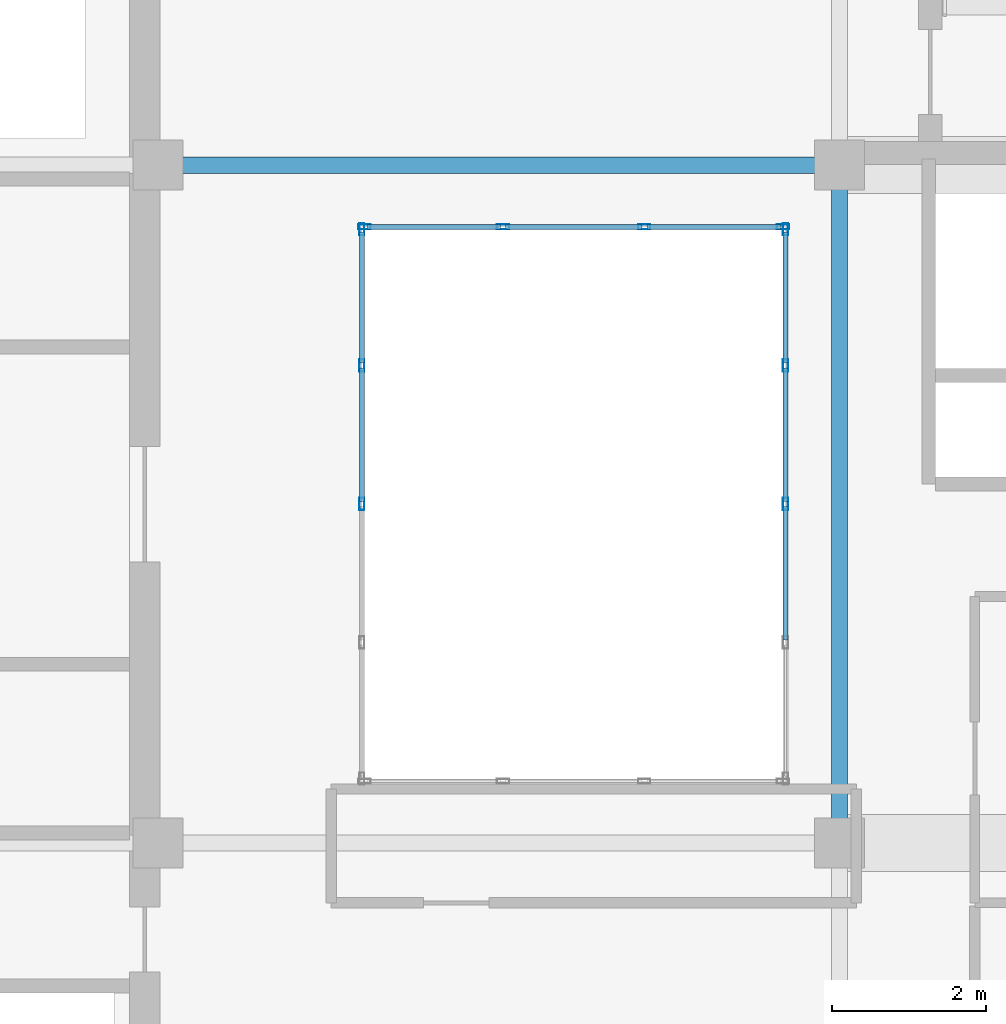
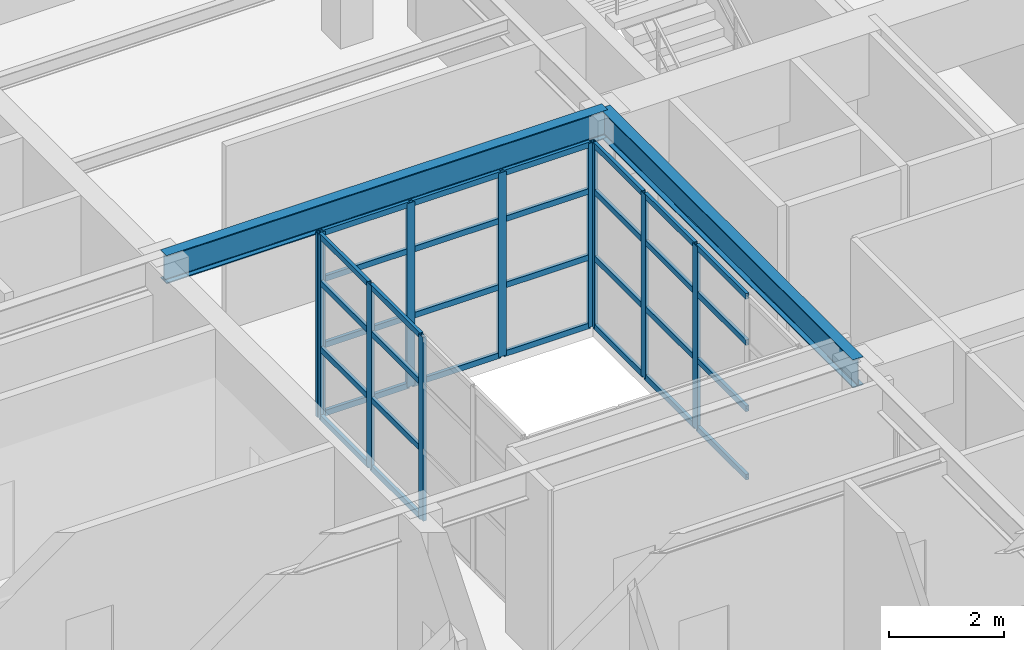
# One storey, part 4 of 11: 42 members, 2 beams, 3 elements without a shape of their own.
"""IFC4 building model written with IfcOpenShell, lengths in metres."""

from ifc_helpers import new_model, si_unit, direction, frame, origin, origin_2d, place, context, subcontext, project, spatial, hollow_rectangle, i_section, extrude, material, layer, layer_set, material_profile, profile_set, type_object, element, aggregate, save


model = new_model("IFC4")

# Units and contexts
model_context = context("Model", 3, precision=1e-05, world=origin(), true_north=direction((0.0, 1.0)))
body_context = subcontext(model_context, "Body", "Model", "MODEL_VIEW")
ifc_project = project(units=[si_unit("LENGTHUNIT", "METRE"), si_unit("AREAUNIT", "SQUARE_METRE"), si_unit("VOLUMEUNIT", "CUBIC_METRE"), si_unit("PLANEANGLEUNIT", "RADIAN"), si_unit("MASSUNIT", "GRAM", prefix="KILO")], contexts=[model_context])

# Site, building, storey
site_placement = place(None, origin())
site = spatial("IfcSite", under=ifc_project, at=site_placement, CompositionType="ELEMENT")
building_placement = place(site_placement, origin())
building = spatial("IfcBuilding", under=site, at=building_placement, Name="Kundavana Baori Tower", CompositionType="ELEMENT")
storey_placement = place(building_placement, frame((0.0, 0.0, 350.5)))
storey = spatial("IfcBuildingStorey", under=building, at=storey_placement, Name="L87", CompositionType="ELEMENT", Elevation=350.5)

# Beams
ifc_material_1 = material(Name="Structural Steel S355JR", Category="steel")
ifc_material_profile_1 = material_profile(ifc_material_1, i_section(OverallWidth=0.2099609375, OverallDepth=0.60009765625, WebThickness=0.011962890625, FlangeThickness=0.020751953125, FilletRadius=0.02001953125, at=origin_2d()), Name="ISMB 600")
ifc_profile_set_1 = profile_set([ifc_material_profile_1], Name="Structural Steel S355JR")
beam_type = type_object("IfcBeamType", Name="BM-ST-600", PredefinedType="BEAM", material=ifc_profile_set_1)
beam_1_placement = place(storey_placement, frame((24.949951171875, 33.0, 3.60009765625), z_axis=(1.0, 0.0, 0.0), x_axis=(0.0, 1.0, 0.0)))
element("IfcBeam", 1, at=beam_1_placement, inside=storey, type_object=beam_type, Name="L87 Primary Grid Girder GX-3-2", PredefinedType="BEAM", context=body_context, shape_type="SweptSolid", body=[
    extrude(i_section(OverallWidth=0.2099609375, OverallDepth=0.60009765625, WebThickness=0.011962890625, FlangeThickness=0.020751953125, FilletRadius=0.02001953125, at=origin_2d()), origin(), (0.0, 0.0, 1.0), 8.85009765625),
])
beam_2_placement = place(storey_placement, frame((33.800048828125, 24.199951171875, 3.60009765625), z_axis=(0.0, 1.0, 0.0), x_axis=(-1.0, 0.0, 0.0)))
element("IfcBeam", 2, at=beam_2_placement, inside=storey, type_object=beam_type, Name="L87 Primary Grid Girder GY-3-2", PredefinedType="BEAM", context=body_context, shape_type="SweptSolid", body=[
    extrude(i_section(OverallWidth=0.2099609375, OverallDepth=0.60009765625, WebThickness=0.011962890625, FlangeThickness=0.020751953125, FilletRadius=0.02001953125, at=origin_2d()), origin(), (0.0, 0.0, 1.0), 8.800048828125),
])

# Curtain wall, members
ifc_material_2 = material(Name="Thermally Broken Anodised Aluminium Framing", Category="aluminium")
ifc_layer = layer(ifc_material_2, 0.235107421875, Name="CW-SYS-6")
ifc_layer_set = layer_set([ifc_layer], Name="Thermally Broken Anodised Aluminium Framing")
curtain_wall_type = type_object("IfcCurtainWallType", Name="CW-SYS-6", PredefinedType="NOTDEFINED", material=ifc_layer_set)
curtain_wall_1_placement = place(storey_placement, origin())
curtain_wall_1 = element("IfcCurtainWall", 3, at=curtain_wall_1_placement, inside=storey, type_object=curtain_wall_type, Name="L87 Atrium Glazed Curtain Wall E", PredefinedType="NOTDEFINED")
ifc_material_3 = material(Name="Thermally Broken Anodised Aluminium Framing", Category="aluminium")
ifc_material_profile_2 = material_profile(ifc_material_3, hollow_rectangle(XDim=0.06494140625, YDim=0.159912109375, WallThickness=0.00390625, at=origin_2d()), Name="CW-MULL-160")
ifc_profile_set_2 = profile_set([ifc_material_profile_2], Name="Thermally Broken Anodised Aluminium Framing")
member_type_1 = type_object("IfcMemberType", Name="CW-MULL-160", PredefinedType="MULLION", material=ifc_profile_set_2)
member_1_placement = place(storey_placement, frame((33.10009765625, 28.60009765625, 0.0), z_axis=(0.0, 0.0, 1.0), x_axis=(-1.0, 0.0, 0.0)))
member_1 = element("IfcMember", 4, at=member_1_placement, type_object=member_type_1, Name="CW6 mullion 3", PredefinedType="MULLION", context=body_context, shape_type="SweptSolid", body=[
    extrude(hollow_rectangle(XDim=0.06494140625, YDim=0.159912109375, WallThickness=0.00390625, at=origin_2d()), origin(), (0.0, 0.0, 1.0), 3.89990234375),
])
member_2_placement = place(storey_placement, frame((33.10009765625, 30.39990234375, 0.0), z_axis=(0.0, 0.0, 1.0), x_axis=(-1.0, 0.0, 0.0)))
member_2 = element("IfcMember", 5, at=member_2_placement, type_object=member_type_1, Name="CW6 mullion 4", PredefinedType="MULLION", context=body_context, shape_type="SweptSolid", body=[
    extrude(hollow_rectangle(XDim=0.06494140625, YDim=0.159912109375, WallThickness=0.00390625, at=origin_2d()), origin(), (0.0, 0.0, 1.0), 3.89990234375),
])
member_3_placement = place(storey_placement, frame((33.10009765625, 32.16748046875, 0.0), z_axis=(0.0, 0.0, 1.0), x_axis=(-1.0, 0.0, 0.0)))
member_3 = element("IfcMember", 6, at=member_3_placement, type_object=member_type_1, Name="CW6 mullion 5", PredefinedType="MULLION", context=body_context, shape_type="SweptSolid", body=[
    extrude(hollow_rectangle(XDim=0.06494140625, YDim=0.159912109375, WallThickness=0.00390625, at=origin_2d()), origin(), (0.0, 0.0, 1.0), 3.89990234375),
])

curtain_wall_2_placement = place(storey_placement, origin())
curtain_wall_2 = element("IfcCurtainWall", 7, at=curtain_wall_2_placement, inside=storey, type_object=curtain_wall_type, Name="L87 Atrium Glazed Curtain Wall N", PredefinedType="NOTDEFINED")
member_4_placement = place(storey_placement, frame((33.0673828125, 32.199951171875, 0.0), z_axis=(0.0, 0.0, 1.0), x_axis=(0.0, -1.0, 0.0)))
member_4 = element("IfcMember", 8, at=member_4_placement, type_object=member_type_1, Name="CW6 mullion 1", PredefinedType="MULLION", context=body_context, shape_type="SweptSolid", body=[
    extrude(hollow_rectangle(XDim=0.06494140625, YDim=0.159912109375, WallThickness=0.00390625, at=origin_2d()), origin(), (0.0, 0.0, 1.0), 3.89990234375),
])
member_5_placement = place(storey_placement, frame((31.2666015625, 32.199951171875, 0.0), z_axis=(0.0, 0.0, 1.0), x_axis=(0.0, -1.0, 0.0)))
member_5 = element("IfcMember", 9, at=member_5_placement, type_object=member_type_1, Name="CW6 mullion 2", PredefinedType="MULLION", context=body_context, shape_type="SweptSolid", body=[
    extrude(hollow_rectangle(XDim=0.06494140625, YDim=0.159912109375, WallThickness=0.00390625, at=origin_2d()), origin(), (0.0, 0.0, 1.0), 3.89990234375),
])
member_6_placement = place(storey_placement, frame((29.433349609375, 32.199951171875, 0.0), z_axis=(0.0, 0.0, 1.0), x_axis=(0.0, -1.0, 0.0)))
member_6 = element("IfcMember", 10, at=member_6_placement, type_object=member_type_1, Name="CW6 mullion 3", PredefinedType="MULLION", context=body_context, shape_type="SweptSolid", body=[
    extrude(hollow_rectangle(XDim=0.06494140625, YDim=0.159912109375, WallThickness=0.00390625, at=origin_2d()), origin(), (0.0, 0.0, 1.0), 3.89990234375),
])
member_7_placement = place(storey_placement, frame((27.632568359375, 32.199951171875, 0.0), z_axis=(0.0, 0.0, 1.0), x_axis=(0.0, -1.0, 0.0)))
member_7 = element("IfcMember", 11, at=member_7_placement, type_object=member_type_1, Name="CW6 mullion 4", PredefinedType="MULLION", context=body_context, shape_type="SweptSolid", body=[
    extrude(hollow_rectangle(XDim=0.06494140625, YDim=0.159912109375, WallThickness=0.00390625, at=origin_2d()), origin(), (0.0, 0.0, 1.0), 3.89990234375),
])

curtain_wall_3_placement = place(storey_placement, origin())
curtain_wall_3 = element("IfcCurtainWall", 12, at=curtain_wall_3_placement, inside=storey, type_object=curtain_wall_type, Name="L87 Atrium Glazed Curtain Wall W", PredefinedType="NOTDEFINED")
member_8_placement = place(storey_placement, frame((27.60009765625, 32.16748046875, 0.0), z_axis=(0.0, 0.0, 1.0), x_axis=(1.0, 0.0, 0.0)))
member_8 = element("IfcMember", 13, at=member_8_placement, type_object=member_type_1, Name="CW6 mullion 1", PredefinedType="MULLION", context=body_context, shape_type="SweptSolid", body=[
    extrude(hollow_rectangle(XDim=0.06494140625, YDim=0.159912109375, WallThickness=0.00390625, at=origin_2d()), origin(), (0.0, 0.0, 1.0), 3.89990234375),
])
member_9_placement = place(storey_placement, frame((27.60009765625, 30.39990234375, 0.0), z_axis=(0.0, 0.0, 1.0), x_axis=(1.0, 0.0, 0.0)))
member_9 = element("IfcMember", 14, at=member_9_placement, type_object=member_type_1, Name="CW6 mullion 2", PredefinedType="MULLION", context=body_context, shape_type="SweptSolid", body=[
    extrude(hollow_rectangle(XDim=0.06494140625, YDim=0.159912109375, WallThickness=0.00390625, at=origin_2d()), origin(), (0.0, 0.0, 1.0), 3.89990234375),
])
member_10_placement = place(storey_placement, frame((27.60009765625, 28.60009765625, 0.0), z_axis=(0.0, 0.0, 1.0), x_axis=(1.0, 0.0, 0.0)))
member_10 = element("IfcMember", 15, at=member_10_placement, type_object=member_type_1, Name="CW6 mullion 3", PredefinedType="MULLION", context=body_context, shape_type="SweptSolid", body=[
    extrude(hollow_rectangle(XDim=0.06494140625, YDim=0.159912109375, WallThickness=0.00390625, at=origin_2d()), origin(), (0.0, 0.0, 1.0), 3.89990234375),
])

# Member
ifc_material_4 = material(Name="Thermally Broken Anodised Aluminium Framing", Category="aluminium")
ifc_material_profile_3 = material_profile(ifc_material_4, hollow_rectangle(XDim=0.06494140625, YDim=0.1201171875, WallThickness=0.00390625, at=origin_2d()), Name="CW-TRAN-120")
ifc_profile_set_3 = profile_set([ifc_material_profile_3], Name="Thermally Broken Anodised Aluminium Framing")
member_type_2 = type_object("IfcMemberType", Name="CW-TRAN-120", PredefinedType="USERDEFINED", material=ifc_profile_set_3)
member_11_placement = place(storey_placement, frame((33.10009765625, 26.83251953125, 0.032470703125), z_axis=(0.0, 1.0, 0.0), x_axis=(-1.0, 0.0, 0.0)))
member_11 = element("IfcMember", 16, at=member_11_placement, type_object=member_type_2, Name="CW6 transom 2.1", ObjectType="TRANSOM", PredefinedType="USERDEFINED", context=body_context, shape_type="SweptSolid", body=[
    extrude(hollow_rectangle(XDim=0.06494140625, YDim=0.1201171875, WallThickness=0.00390625, at=origin_2d()), origin(), (0.0, 0.0, 1.0), 1.73486328125),
])

member_12_placement = place(storey_placement, frame((33.10009765625, 26.83251953125, 1.48193359375), z_axis=(0.0, 1.0, 0.0), x_axis=(-1.0, 0.0, 0.0)))
member_12 = element("IfcMember", 17, at=member_12_placement, type_object=member_type_2, Name="CW6 transom 2.2", ObjectType="TRANSOM", PredefinedType="USERDEFINED", context=body_context, shape_type="SweptSolid", body=[
    extrude(hollow_rectangle(XDim=0.06494140625, YDim=0.1201171875, WallThickness=0.00390625, at=origin_2d()), origin(), (0.0, 0.0, 1.0), 1.73486328125),
])

member_13_placement = place(storey_placement, frame((33.10009765625, 26.83251953125, 2.885986328125), z_axis=(0.0, 1.0, 0.0), x_axis=(-1.0, 0.0, 0.0)))
member_13 = element("IfcMember", 18, at=member_13_placement, type_object=member_type_2, Name="CW6 transom 2.3", ObjectType="TRANSOM", PredefinedType="USERDEFINED", context=body_context, shape_type="SweptSolid", body=[
    extrude(hollow_rectangle(XDim=0.06494140625, YDim=0.1201171875, WallThickness=0.00390625, at=origin_2d()), origin(), (0.0, 0.0, 1.0), 1.73486328125),
])

member_14_placement = place(storey_placement, frame((33.10009765625, 26.83251953125, 3.867431640625), z_axis=(0.0, 1.0, 0.0), x_axis=(-1.0, 0.0, 0.0)))
member_14 = element("IfcMember", 19, at=member_14_placement, type_object=member_type_2, Name="CW6 transom 2.4", ObjectType="TRANSOM", PredefinedType="USERDEFINED", context=body_context, shape_type="SweptSolid", body=[
    extrude(hollow_rectangle(XDim=0.06494140625, YDim=0.1201171875, WallThickness=0.00390625, at=origin_2d()), origin(), (0.0, 0.0, 1.0), 1.73486328125),
])

member_15_placement = place(storey_placement, frame((33.10009765625, 28.632568359375, 0.032470703125), z_axis=(0.0, 1.0, 0.0), x_axis=(-1.0, 0.0, 0.0)))
member_15 = element("IfcMember", 20, at=member_15_placement, type_object=member_type_2, Name="CW6 transom 3.1", ObjectType="TRANSOM", PredefinedType="USERDEFINED", context=body_context, shape_type="SweptSolid", body=[
    extrude(hollow_rectangle(XDim=0.06494140625, YDim=0.1201171875, WallThickness=0.00390625, at=origin_2d()), origin(), (0.0, 0.0, 1.0), 1.73486328125),
])

member_16_placement = place(storey_placement, frame((33.10009765625, 28.632568359375, 1.48193359375), z_axis=(0.0, 1.0, 0.0), x_axis=(-1.0, 0.0, 0.0)))
member_16 = element("IfcMember", 21, at=member_16_placement, type_object=member_type_2, Name="CW6 transom 3.2", ObjectType="TRANSOM", PredefinedType="USERDEFINED", context=body_context, shape_type="SweptSolid", body=[
    extrude(hollow_rectangle(XDim=0.06494140625, YDim=0.1201171875, WallThickness=0.00390625, at=origin_2d()), origin(), (0.0, 0.0, 1.0), 1.73486328125),
])

member_17_placement = place(storey_placement, frame((33.10009765625, 28.632568359375, 2.885986328125), z_axis=(0.0, 1.0, 0.0), x_axis=(-1.0, 0.0, 0.0)))
member_17 = element("IfcMember", 22, at=member_17_placement, type_object=member_type_2, Name="CW6 transom 3.3", ObjectType="TRANSOM", PredefinedType="USERDEFINED", context=body_context, shape_type="SweptSolid", body=[
    extrude(hollow_rectangle(XDim=0.06494140625, YDim=0.1201171875, WallThickness=0.00390625, at=origin_2d()), origin(), (0.0, 0.0, 1.0), 1.73486328125),
])

member_18_placement = place(storey_placement, frame((33.10009765625, 28.632568359375, 3.867431640625), z_axis=(0.0, 1.0, 0.0), x_axis=(-1.0, 0.0, 0.0)))
member_18 = element("IfcMember", 23, at=member_18_placement, type_object=member_type_2, Name="CW6 transom 3.4", ObjectType="TRANSOM", PredefinedType="USERDEFINED", context=body_context, shape_type="SweptSolid", body=[
    extrude(hollow_rectangle(XDim=0.06494140625, YDim=0.1201171875, WallThickness=0.00390625, at=origin_2d()), origin(), (0.0, 0.0, 1.0), 1.73486328125),
])

member_19_placement = place(storey_placement, frame((33.10009765625, 30.4326171875, 0.032470703125), z_axis=(0.0, 1.0, 0.0), x_axis=(-1.0, 0.0, 0.0)))
member_19 = element("IfcMember", 24, at=member_19_placement, type_object=member_type_2, Name="CW6 transom 4.1", ObjectType="TRANSOM", PredefinedType="USERDEFINED", context=body_context, shape_type="SweptSolid", body=[
    extrude(hollow_rectangle(XDim=0.06494140625, YDim=0.1201171875, WallThickness=0.00390625, at=origin_2d()), origin(), (0.0, 0.0, 1.0), 1.702392578125),
])

member_20_placement = place(storey_placement, frame((33.10009765625, 30.4326171875, 1.48193359375), z_axis=(0.0, 1.0, 0.0), x_axis=(-1.0, 0.0, 0.0)))
member_20 = element("IfcMember", 25, at=member_20_placement, type_object=member_type_2, Name="CW6 transom 4.2", ObjectType="TRANSOM", PredefinedType="USERDEFINED", context=body_context, shape_type="SweptSolid", body=[
    extrude(hollow_rectangle(XDim=0.06494140625, YDim=0.1201171875, WallThickness=0.00390625, at=origin_2d()), origin(), (0.0, 0.0, 1.0), 1.702392578125),
])

member_21_placement = place(storey_placement, frame((33.10009765625, 30.4326171875, 2.885986328125), z_axis=(0.0, 1.0, 0.0), x_axis=(-1.0, 0.0, 0.0)))
member_21 = element("IfcMember", 26, at=member_21_placement, type_object=member_type_2, Name="CW6 transom 4.3", ObjectType="TRANSOM", PredefinedType="USERDEFINED", context=body_context, shape_type="SweptSolid", body=[
    extrude(hollow_rectangle(XDim=0.06494140625, YDim=0.1201171875, WallThickness=0.00390625, at=origin_2d()), origin(), (0.0, 0.0, 1.0), 1.702392578125),
])

member_22_placement = place(storey_placement, frame((33.10009765625, 30.4326171875, 3.867431640625), z_axis=(0.0, 1.0, 0.0), x_axis=(-1.0, 0.0, 0.0)))
member_22 = element("IfcMember", 27, at=member_22_placement, type_object=member_type_2, Name="CW6 transom 4.4", ObjectType="TRANSOM", PredefinedType="USERDEFINED", context=body_context, shape_type="SweptSolid", body=[
    extrude(hollow_rectangle(XDim=0.06494140625, YDim=0.1201171875, WallThickness=0.00390625, at=origin_2d()), origin(), (0.0, 0.0, 1.0), 1.702392578125),
])

aggregate(curtain_wall_1, [member_1, member_2, member_3, member_11, member_12, member_13, member_14, member_15, member_16, member_17, member_18, member_19, member_20, member_21, member_22])

member_23_placement = place(storey_placement, frame((33.034912109375, 32.199951171875, 0.032470703125), z_axis=(-1.0, 0.0, 0.0), x_axis=(0.0, -1.0, 0.0)))
member_23 = element("IfcMember", 28, at=member_23_placement, type_object=member_type_2, Name="CW6 transom 1.1", ObjectType="TRANSOM", PredefinedType="USERDEFINED", context=body_context, shape_type="SweptSolid", body=[
    extrude(hollow_rectangle(XDim=0.06494140625, YDim=0.1201171875, WallThickness=0.00390625, at=origin_2d()), origin(), (0.0, 0.0, 1.0), 1.73583984375),
])

member_24_placement = place(storey_placement, frame((33.034912109375, 32.199951171875, 1.48193359375), z_axis=(-1.0, 0.0, 0.0), x_axis=(0.0, -1.0, 0.0)))
member_24 = element("IfcMember", 29, at=member_24_placement, type_object=member_type_2, Name="CW6 transom 1.2", ObjectType="TRANSOM", PredefinedType="USERDEFINED", context=body_context, shape_type="SweptSolid", body=[
    extrude(hollow_rectangle(XDim=0.06494140625, YDim=0.1201171875, WallThickness=0.00390625, at=origin_2d()), origin(), (0.0, 0.0, 1.0), 1.73583984375),
])

member_25_placement = place(storey_placement, frame((33.034912109375, 32.199951171875, 2.885986328125), z_axis=(-1.0, 0.0, 0.0), x_axis=(0.0, -1.0, 0.0)))
member_25 = element("IfcMember", 30, at=member_25_placement, type_object=member_type_2, Name="CW6 transom 1.3", ObjectType="TRANSOM", PredefinedType="USERDEFINED", context=body_context, shape_type="SweptSolid", body=[
    extrude(hollow_rectangle(XDim=0.06494140625, YDim=0.1201171875, WallThickness=0.00390625, at=origin_2d()), origin(), (0.0, 0.0, 1.0), 1.73583984375),
])

member_26_placement = place(storey_placement, frame((33.034912109375, 32.199951171875, 3.867431640625), z_axis=(-1.0, 0.0, 0.0), x_axis=(0.0, -1.0, 0.0)))
member_26 = element("IfcMember", 31, at=member_26_placement, type_object=member_type_2, Name="CW6 transom 1.4", ObjectType="TRANSOM", PredefinedType="USERDEFINED", context=body_context, shape_type="SweptSolid", body=[
    extrude(hollow_rectangle(XDim=0.06494140625, YDim=0.1201171875, WallThickness=0.00390625, at=origin_2d()), origin(), (0.0, 0.0, 1.0), 1.73583984375),
])

member_27_placement = place(storey_placement, frame((31.234130859375, 32.199951171875, 0.032470703125), z_axis=(-1.0, 0.0, 0.0), x_axis=(0.0, -1.0, 0.0)))
member_27 = element("IfcMember", 32, at=member_27_placement, type_object=member_type_2, Name="CW6 transom 2.1", ObjectType="TRANSOM", PredefinedType="USERDEFINED", context=body_context, shape_type="SweptSolid", body=[
    extrude(hollow_rectangle(XDim=0.06494140625, YDim=0.1201171875, WallThickness=0.00390625, at=origin_2d()), origin(), (0.0, 0.0, 1.0), 1.768310546875),
])

member_28_placement = place(storey_placement, frame((31.234130859375, 32.199951171875, 1.48193359375), z_axis=(-1.0, 0.0, 0.0), x_axis=(0.0, -1.0, 0.0)))
member_28 = element("IfcMember", 33, at=member_28_placement, type_object=member_type_2, Name="CW6 transom 2.2", ObjectType="TRANSOM", PredefinedType="USERDEFINED", context=body_context, shape_type="SweptSolid", body=[
    extrude(hollow_rectangle(XDim=0.06494140625, YDim=0.1201171875, WallThickness=0.00390625, at=origin_2d()), origin(), (0.0, 0.0, 1.0), 1.768310546875),
])

member_29_placement = place(storey_placement, frame((31.234130859375, 32.199951171875, 2.885986328125), z_axis=(-1.0, 0.0, 0.0), x_axis=(0.0, -1.0, 0.0)))
member_29 = element("IfcMember", 34, at=member_29_placement, type_object=member_type_2, Name="CW6 transom 2.3", ObjectType="TRANSOM", PredefinedType="USERDEFINED", context=body_context, shape_type="SweptSolid", body=[
    extrude(hollow_rectangle(XDim=0.06494140625, YDim=0.1201171875, WallThickness=0.00390625, at=origin_2d()), origin(), (0.0, 0.0, 1.0), 1.768310546875),
])

member_30_placement = place(storey_placement, frame((31.234130859375, 32.199951171875, 3.867431640625), z_axis=(-1.0, 0.0, 0.0), x_axis=(0.0, -1.0, 0.0)))
member_30 = element("IfcMember", 35, at=member_30_placement, type_object=member_type_2, Name="CW6 transom 2.4", ObjectType="TRANSOM", PredefinedType="USERDEFINED", context=body_context, shape_type="SweptSolid", body=[
    extrude(hollow_rectangle(XDim=0.06494140625, YDim=0.1201171875, WallThickness=0.00390625, at=origin_2d()), origin(), (0.0, 0.0, 1.0), 1.768310546875),
])

member_31_placement = place(storey_placement, frame((29.40087890625, 32.199951171875, 0.032470703125), z_axis=(-1.0, 0.0, 0.0), x_axis=(0.0, -1.0, 0.0)))
member_31 = element("IfcMember", 36, at=member_31_placement, type_object=member_type_2, Name="CW6 transom 3.1", ObjectType="TRANSOM", PredefinedType="USERDEFINED", context=body_context, shape_type="SweptSolid", body=[
    extrude(hollow_rectangle(XDim=0.06494140625, YDim=0.1201171875, WallThickness=0.00390625, at=origin_2d()), origin(), (0.0, 0.0, 1.0), 1.73583984375),
])

member_32_placement = place(storey_placement, frame((29.40087890625, 32.199951171875, 1.48193359375), z_axis=(-1.0, 0.0, 0.0), x_axis=(0.0, -1.0, 0.0)))
member_32 = element("IfcMember", 37, at=member_32_placement, type_object=member_type_2, Name="CW6 transom 3.2", ObjectType="TRANSOM", PredefinedType="USERDEFINED", context=body_context, shape_type="SweptSolid", body=[
    extrude(hollow_rectangle(XDim=0.06494140625, YDim=0.1201171875, WallThickness=0.00390625, at=origin_2d()), origin(), (0.0, 0.0, 1.0), 1.73583984375),
])

member_33_placement = place(storey_placement, frame((29.40087890625, 32.199951171875, 2.885986328125), z_axis=(-1.0, 0.0, 0.0), x_axis=(0.0, -1.0, 0.0)))
member_33 = element("IfcMember", 38, at=member_33_placement, type_object=member_type_2, Name="CW6 transom 3.3", ObjectType="TRANSOM", PredefinedType="USERDEFINED", context=body_context, shape_type="SweptSolid", body=[
    extrude(hollow_rectangle(XDim=0.06494140625, YDim=0.1201171875, WallThickness=0.00390625, at=origin_2d()), origin(), (0.0, 0.0, 1.0), 1.73583984375),
])

member_34_placement = place(storey_placement, frame((29.40087890625, 32.199951171875, 3.867431640625), z_axis=(-1.0, 0.0, 0.0), x_axis=(0.0, -1.0, 0.0)))
member_34 = element("IfcMember", 39, at=member_34_placement, type_object=member_type_2, Name="CW6 transom 3.4", ObjectType="TRANSOM", PredefinedType="USERDEFINED", context=body_context, shape_type="SweptSolid", body=[
    extrude(hollow_rectangle(XDim=0.06494140625, YDim=0.1201171875, WallThickness=0.00390625, at=origin_2d()), origin(), (0.0, 0.0, 1.0), 1.73583984375),
])

aggregate(curtain_wall_2, [member_4, member_5, member_6, member_7, member_23, member_24, member_25, member_26, member_27, member_28, member_29, member_30, member_31, member_32, member_33, member_34])

member_35_placement = place(storey_placement, frame((27.60009765625, 32.135009765625, 0.032470703125), z_axis=(0.0, -1.0, 0.0), x_axis=(1.0, 0.0, 0.0)))
member_35 = element("IfcMember", 40, at=member_35_placement, type_object=member_type_2, Name="CW6 transom 1.1", ObjectType="TRANSOM", PredefinedType="USERDEFINED", context=body_context, shape_type="SweptSolid", body=[
    extrude(hollow_rectangle(XDim=0.06494140625, YDim=0.1201171875, WallThickness=0.00390625, at=origin_2d()), origin(), (0.0, 0.0, 1.0), 1.702392578125),
])

member_36_placement = place(storey_placement, frame((27.60009765625, 32.135009765625, 1.48193359375), z_axis=(0.0, -1.0, 0.0), x_axis=(1.0, 0.0, 0.0)))
member_36 = element("IfcMember", 41, at=member_36_placement, type_object=member_type_2, Name="CW6 transom 1.2", ObjectType="TRANSOM", PredefinedType="USERDEFINED", context=body_context, shape_type="SweptSolid", body=[
    extrude(hollow_rectangle(XDim=0.06494140625, YDim=0.1201171875, WallThickness=0.00390625, at=origin_2d()), origin(), (0.0, 0.0, 1.0), 1.702392578125),
])

member_37_placement = place(storey_placement, frame((27.60009765625, 32.135009765625, 2.885986328125), z_axis=(0.0, -1.0, 0.0), x_axis=(1.0, 0.0, 0.0)))
member_37 = element("IfcMember", 42, at=member_37_placement, type_object=member_type_2, Name="CW6 transom 1.3", ObjectType="TRANSOM", PredefinedType="USERDEFINED", context=body_context, shape_type="SweptSolid", body=[
    extrude(hollow_rectangle(XDim=0.06494140625, YDim=0.1201171875, WallThickness=0.00390625, at=origin_2d()), origin(), (0.0, 0.0, 1.0), 1.702392578125),
])

member_38_placement = place(storey_placement, frame((27.60009765625, 32.135009765625, 3.867431640625), z_axis=(0.0, -1.0, 0.0), x_axis=(1.0, 0.0, 0.0)))
member_38 = element("IfcMember", 43, at=member_38_placement, type_object=member_type_2, Name="CW6 transom 1.4", ObjectType="TRANSOM", PredefinedType="USERDEFINED", context=body_context, shape_type="SweptSolid", body=[
    extrude(hollow_rectangle(XDim=0.06494140625, YDim=0.1201171875, WallThickness=0.00390625, at=origin_2d()), origin(), (0.0, 0.0, 1.0), 1.702392578125),
])

member_39_placement = place(storey_placement, frame((27.60009765625, 30.367431640625, 0.032470703125), z_axis=(0.0, -1.0, 0.0), x_axis=(1.0, 0.0, 0.0)))
member_39 = element("IfcMember", 44, at=member_39_placement, type_object=member_type_2, Name="CW6 transom 2.1", ObjectType="TRANSOM", PredefinedType="USERDEFINED", context=body_context, shape_type="SweptSolid", body=[
    extrude(hollow_rectangle(XDim=0.06494140625, YDim=0.1201171875, WallThickness=0.00390625, at=origin_2d()), origin(), (0.0, 0.0, 1.0), 1.73486328125),
])

member_40_placement = place(storey_placement, frame((27.60009765625, 30.367431640625, 1.48193359375), z_axis=(0.0, -1.0, 0.0), x_axis=(1.0, 0.0, 0.0)))
member_40 = element("IfcMember", 45, at=member_40_placement, type_object=member_type_2, Name="CW6 transom 2.2", ObjectType="TRANSOM", PredefinedType="USERDEFINED", context=body_context, shape_type="SweptSolid", body=[
    extrude(hollow_rectangle(XDim=0.06494140625, YDim=0.1201171875, WallThickness=0.00390625, at=origin_2d()), origin(), (0.0, 0.0, 1.0), 1.73486328125),
])

member_41_placement = place(storey_placement, frame((27.60009765625, 30.367431640625, 2.885986328125), z_axis=(0.0, -1.0, 0.0), x_axis=(1.0, 0.0, 0.0)))
member_41 = element("IfcMember", 46, at=member_41_placement, type_object=member_type_2, Name="CW6 transom 2.3", ObjectType="TRANSOM", PredefinedType="USERDEFINED", context=body_context, shape_type="SweptSolid", body=[
    extrude(hollow_rectangle(XDim=0.06494140625, YDim=0.1201171875, WallThickness=0.00390625, at=origin_2d()), origin(), (0.0, 0.0, 1.0), 1.73486328125),
])

member_42_placement = place(storey_placement, frame((27.60009765625, 30.367431640625, 3.867431640625), z_axis=(0.0, -1.0, 0.0), x_axis=(1.0, 0.0, 0.0)))
member_42 = element("IfcMember", 47, at=member_42_placement, type_object=member_type_2, Name="CW6 transom 2.4", ObjectType="TRANSOM", PredefinedType="USERDEFINED", context=body_context, shape_type="SweptSolid", body=[
    extrude(hollow_rectangle(XDim=0.06494140625, YDim=0.1201171875, WallThickness=0.00390625, at=origin_2d()), origin(), (0.0, 0.0, 1.0), 1.73486328125),
])

aggregate(curtain_wall_3, [member_8, member_9, member_10, member_35, member_36, member_37, member_38, member_39, member_40, member_41, member_42])

save(model, "model.ifc")
